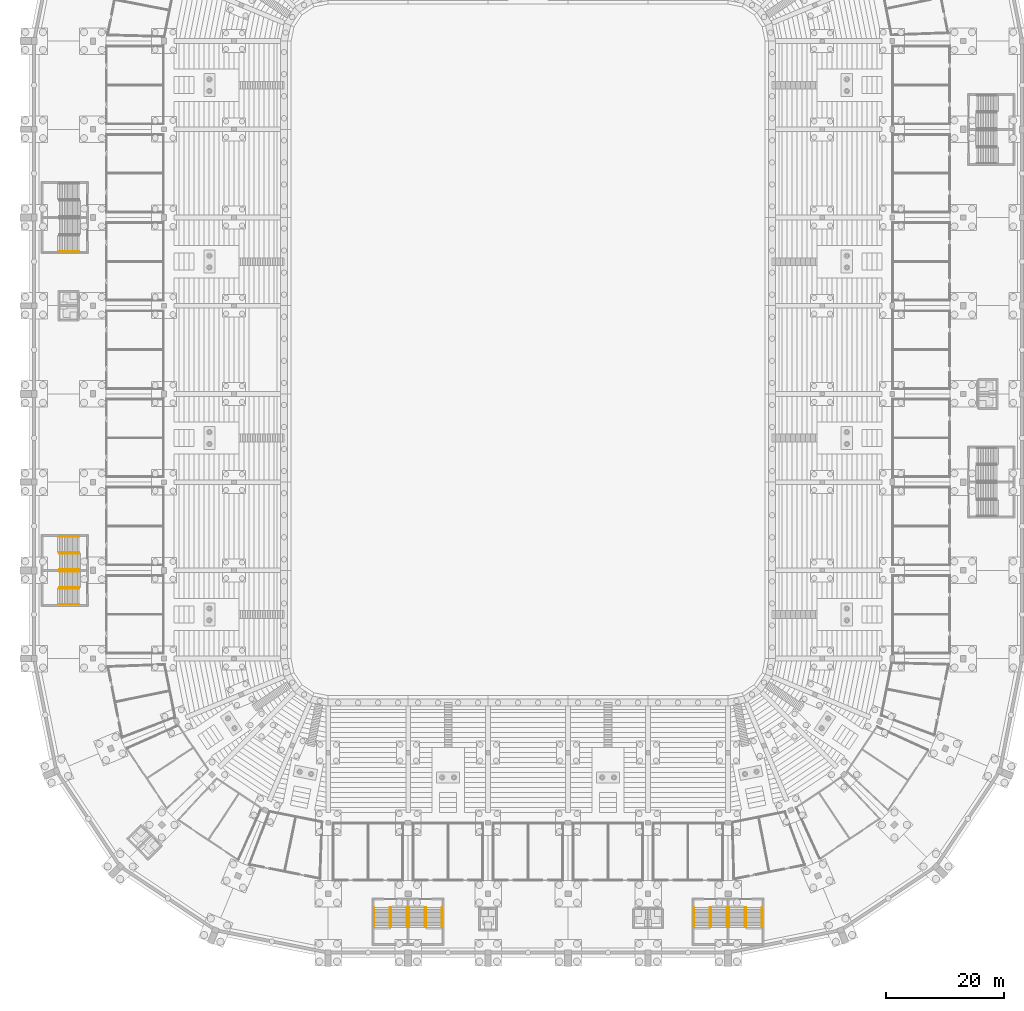
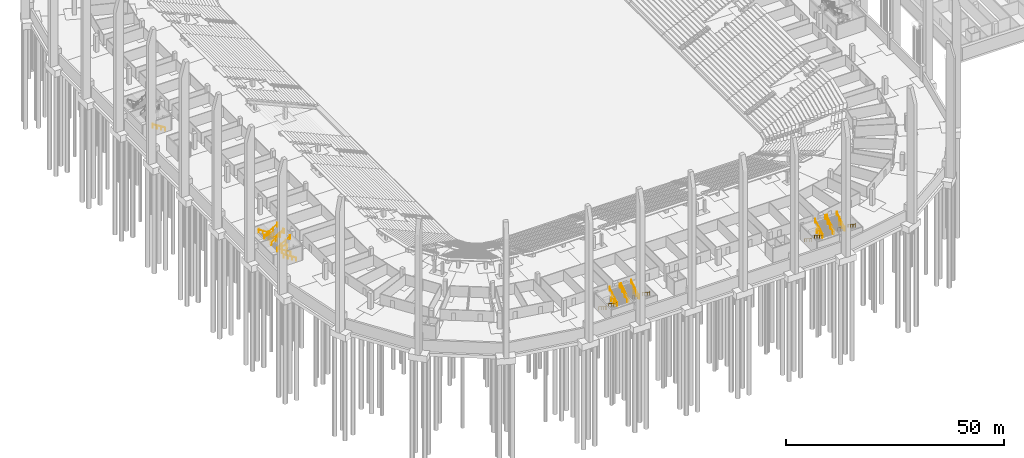
# One storey, part 110 of 115: 31 railings.
"""IFC4 building model written with IfcOpenShell, lengths in metres."""

from ifc_helpers import new_model, si_unit, direction, frame, origin, origin_2d, place, context, subcontext, project, spatial, circle, extrude, material, type_object, element, save


model = new_model("IFC4")

# Units and contexts
model_context = context("Model", 3, precision=1e-05, world=origin(), true_north=direction((0.0, 1.0)))
body_context = subcontext(model_context, "Body", "Model", "MODEL_VIEW")
ifc_project = project(units=[si_unit("LENGTHUNIT", "METRE"), si_unit("AREAUNIT", "SQUARE_METRE"), si_unit("VOLUMEUNIT", "CUBIC_METRE"), si_unit("PLANEANGLEUNIT", "RADIAN"), si_unit("MASSUNIT", "GRAM", prefix="KILO")], contexts=[model_context])

# Site, building, storey
site_placement = place(None, origin())
site = spatial("IfcSite", under=ifc_project, at=site_placement, CompositionType="ELEMENT")
building_placement = place(site_placement, origin())
building = spatial("IfcBuilding", under=site, at=building_placement, Name="Ogive Plaza Stadium", CompositionType="ELEMENT")
storey_placement = place(building_placement, frame((0.0, 0.0, -4.5)))
storey = spatial("IfcBuildingStorey", under=building, at=storey_placement, Name="B1", CompositionType="ELEMENT", Elevation=-4.5)

# Railings
ifc_material_1 = material(Name="Steel ASTM A572 Grade 50", Category="steel")
railing_type_1 = type_object("IfcRailingType", Name="Guard 1100", PredefinedType="GUARDRAIL", material=ifc_material_1)
for number, where, name in (
    (1, (31.02490234375, -95.81005859375, 2.25), "Stair well guard ST12A B1"),
    (2, (36.97509765625, -95.81005859375, 2.25), "Stair well guard ST12B B1"),
    (3, (-23.375, -95.81005859375, 2.25), "Stair well guard ST16A B1"),
    (4, (-17.425048828125, -95.81005859375, 2.25), "Stair well guard ST16B B1"),
):
    element("IfcRailing", number, at=place(storey_placement, frame(where)), inside=storey, type_object=railing_type_1, Name=name, PredefinedType="GUARDRAIL", context=body_context, shape_type="SweptSolid", body=[
        extrude(circle(Radius=0.02392578125, at=origin_2d()), frame((0.0, 0.0, 1.076171875), z_axis=(0.0, -1.0, 0.0), x_axis=(1.0, 0.0, 0.0)), (0.0, 0.0, 1.0), 2.39990234375),
        extrude(circle(Radius=0.02099609375, at=origin_2d()), origin(), (0.0, 0.0, 1.0), 1.052001953125),
        extrude(circle(Radius=0.02099609375, at=origin_2d()), frame((0.0, -1.199951171875, 0.0)), (0.0, 0.0, 1.0), 1.052001953125),
        extrude(circle(Radius=0.02099609375, at=origin_2d()), frame((0.0, -2.39990234375, 0.0)), (0.0, 0.0, 1.0), 1.052001953125),
    ])
for number, where, name in (
    (5, (-77.31005859375, -34.52490234375, 2.25), "Stair well guard ST22A B1"),
    (6, (-77.31005859375, -40.47509765625, 2.25), "Stair well guard ST22B B1"),
):
    element("IfcRailing", number, at=place(storey_placement, frame(where)), inside=storey, type_object=railing_type_1, Name=name, PredefinedType="GUARDRAIL", context=body_context, shape_type="SweptSolid", body=[
        extrude(circle(Radius=0.02392578125, at=origin_2d()), frame((0.0, 0.0, 1.076171875), z_axis=(-1.0, 0.0, 0.0), x_axis=(0.0, -1.0, 0.0)), (0.0, 0.0, 1.0), 2.39990234375),
        extrude(circle(Radius=0.02099609375, at=origin_2d()), origin(), (0.0, 0.0, 1.0), 1.052001953125),
        extrude(circle(Radius=0.02099609375, at=origin_2d()), frame((-1.199951171875, 0.0, 0.0)), (0.0, 0.0, 1.0), 1.052001953125),
        extrude(circle(Radius=0.02099609375, at=origin_2d()), frame((-2.39990234375, 0.0, 0.0)), (0.0, 0.0, 1.0), 1.052001953125),
    ])
ifc_material_2 = material(Name="Steel ASTM A572 Grade 50", Category="steel")
railing_type_2 = type_object("IfcRailingType", Name="Handrail 900", PredefinedType="HANDRAIL", material=ifc_material_2)
for number, where, name in (
    (7, (28.235107421875, -94.85009765625, 0.173095703125), "Handrail ST12A B1"),
    (8, (30.9150390625, -94.85009765625, 0.173095703125), "Handrail ST12A B1"),
):
    element("IfcRailing", number, at=place(storey_placement, frame(where)), inside=storey, type_object=railing_type_2, Name=name, PredefinedType="HANDRAIL", context=body_context, shape_type="SweptSolid", body=[
        extrude(circle(Radius=0.02392578125, at=origin_2d()), frame((0.0, 0.0, 0.8759765625), z_axis=(0.0, -0.850606129759, 0.525803396734), x_axis=(1.0, 0.0, 0.0)), (0.0, 0.0, 1.0), 3.949951171875),
        extrude(circle(Radius=0.02099609375, at=origin_2d()), origin(), (0.0, 0.0, 1.0), 0.851806640625),
        extrude(circle(Radius=0.02099609375, at=origin_2d()), frame((0.0, -1.119873046875, 0.6923828125)), (0.0, 0.0, 1.0), 0.851806640625),
        extrude(circle(Radius=0.02099609375, at=origin_2d()), frame((0.0, -2.239990234375, 1.384521484375)), (0.0, 0.0, 1.0), 0.851806640625),
        extrude(circle(Radius=0.02099609375, at=origin_2d()), frame((0.0, -3.35986328125, 2.076904296875)), (0.0, 0.0, 1.0), 1.10009765625),
    ])
for number, where, name in (
    (9, (31.135009765625, -98.2099609375, 2.423095703125), "Handrail ST12A B1"),
    (10, (33.81494140625, -98.2099609375, 2.423095703125), "Handrail ST12A B1"),
):
    element("IfcRailing", number, at=place(storey_placement, frame(where)), inside=storey, type_object=railing_type_2, Name=name, PredefinedType="HANDRAIL", context=body_context, shape_type="SweptSolid", body=[
        extrude(circle(Radius=0.02392578125, at=origin_2d()), frame((0.0, 0.0, 0.8759765625), z_axis=(0.0, 0.850606129759, 0.525803396734), x_axis=(-1.0, 0.0, 0.0)), (0.0, 0.0, 1.0), 3.949951171875),
        extrude(circle(Radius=0.02099609375, at=origin_2d()), origin(), (0.0, 0.0, 1.0), 0.851806640625),
        extrude(circle(Radius=0.02099609375, at=origin_2d()), frame((0.0, 1.119873046875, 0.6923828125)), (0.0, 0.0, 1.0), 0.851806640625),
        extrude(circle(Radius=0.02099609375, at=origin_2d()), frame((0.0, 2.239990234375, 1.384521484375)), (0.0, 0.0, 1.0), 0.851806640625),
        extrude(circle(Radius=0.02099609375, at=origin_2d()), frame((0.0, 3.35986328125, 2.076904296875)), (0.0, 0.0, 1.0), 1.10009765625),
    ])
for number, where, name in (
    (11, (37.0849609375, -94.85009765625, 0.173095703125), "Handrail ST12B B1"),
    (12, (39.764892578125, -94.85009765625, 0.173095703125), "Handrail ST12B B1"),
):
    element("IfcRailing", number, at=place(storey_placement, frame(where)), inside=storey, type_object=railing_type_2, Name=name, PredefinedType="HANDRAIL", context=body_context, shape_type="SweptSolid", body=[
        extrude(circle(Radius=0.02392578125, at=origin_2d()), frame((0.0, 0.0, 0.8759765625), z_axis=(0.0, -0.850606129759, 0.525803396734), x_axis=(1.0, 0.0, 0.0)), (0.0, 0.0, 1.0), 3.949951171875),
        extrude(circle(Radius=0.02099609375, at=origin_2d()), origin(), (0.0, 0.0, 1.0), 0.851806640625),
        extrude(circle(Radius=0.02099609375, at=origin_2d()), frame((0.0, -1.119873046875, 0.6923828125)), (0.0, 0.0, 1.0), 0.851806640625),
        extrude(circle(Radius=0.02099609375, at=origin_2d()), frame((0.0, -2.239990234375, 1.384521484375)), (0.0, 0.0, 1.0), 0.851806640625),
        extrude(circle(Radius=0.02099609375, at=origin_2d()), frame((0.0, -3.35986328125, 2.076904296875)), (0.0, 0.0, 1.0), 1.10009765625),
    ])
for number, where, name in (
    (13, (34.18505859375, -98.2099609375, 2.423095703125), "Handrail ST12B B1"),
    (14, (36.864990234375, -98.2099609375, 2.423095703125), "Handrail ST12B B1"),
):
    element("IfcRailing", number, at=place(storey_placement, frame(where)), inside=storey, type_object=railing_type_2, Name=name, PredefinedType="HANDRAIL", context=body_context, shape_type="SweptSolid", body=[
        extrude(circle(Radius=0.02392578125, at=origin_2d()), frame((0.0, 0.0, 0.8759765625), z_axis=(0.0, 0.850606129759, 0.525803396734), x_axis=(-1.0, 0.0, 0.0)), (0.0, 0.0, 1.0), 3.949951171875),
        extrude(circle(Radius=0.02099609375, at=origin_2d()), origin(), (0.0, 0.0, 1.0), 0.851806640625),
        extrude(circle(Radius=0.02099609375, at=origin_2d()), frame((0.0, 1.119873046875, 0.6923828125)), (0.0, 0.0, 1.0), 0.851806640625),
        extrude(circle(Radius=0.02099609375, at=origin_2d()), frame((0.0, 2.239990234375, 1.384521484375)), (0.0, 0.0, 1.0), 0.851806640625),
        extrude(circle(Radius=0.02099609375, at=origin_2d()), frame((0.0, 3.35986328125, 2.076904296875)), (0.0, 0.0, 1.0), 1.10009765625),
    ])
for number, where, name in (
    (15, (-26.1650390625, -94.85009765625, 0.173095703125), "Handrail ST16A B1"),
    (16, (-23.485107421875, -94.85009765625, 0.173095703125), "Handrail ST16A B1"),
):
    element("IfcRailing", number, at=place(storey_placement, frame(where)), inside=storey, type_object=railing_type_2, Name=name, PredefinedType="HANDRAIL", context=body_context, shape_type="SweptSolid", body=[
        extrude(circle(Radius=0.02392578125, at=origin_2d()), frame((0.0, 0.0, 0.8759765625), z_axis=(0.0, -0.850606129759, 0.525803396734), x_axis=(1.0, 0.0, 0.0)), (0.0, 0.0, 1.0), 3.949951171875),
        extrude(circle(Radius=0.02099609375, at=origin_2d()), origin(), (0.0, 0.0, 1.0), 0.851806640625),
        extrude(circle(Radius=0.02099609375, at=origin_2d()), frame((0.0, -1.119873046875, 0.6923828125)), (0.0, 0.0, 1.0), 0.851806640625),
        extrude(circle(Radius=0.02099609375, at=origin_2d()), frame((0.0, -2.239990234375, 1.384521484375)), (0.0, 0.0, 1.0), 0.851806640625),
        extrude(circle(Radius=0.02099609375, at=origin_2d()), frame((0.0, -3.35986328125, 2.076904296875)), (0.0, 0.0, 1.0), 1.10009765625),
    ])
for number, where, name in (
    (17, (-23.264892578125, -98.2099609375, 2.423095703125), "Handrail ST16A B1"),
    (18, (-20.5849609375, -98.2099609375, 2.423095703125), "Handrail ST16A B1"),
):
    element("IfcRailing", number, at=place(storey_placement, frame(where)), inside=storey, type_object=railing_type_2, Name=name, PredefinedType="HANDRAIL", context=body_context, shape_type="SweptSolid", body=[
        extrude(circle(Radius=0.02392578125, at=origin_2d()), frame((0.0, 0.0, 0.8759765625), z_axis=(0.0, 0.850606129759, 0.525803396734), x_axis=(-1.0, 0.0, 0.0)), (0.0, 0.0, 1.0), 3.949951171875),
        extrude(circle(Radius=0.02099609375, at=origin_2d()), origin(), (0.0, 0.0, 1.0), 0.851806640625),
        extrude(circle(Radius=0.02099609375, at=origin_2d()), frame((0.0, 1.119873046875, 0.6923828125)), (0.0, 0.0, 1.0), 0.851806640625),
        extrude(circle(Radius=0.02099609375, at=origin_2d()), frame((0.0, 2.239990234375, 1.384521484375)), (0.0, 0.0, 1.0), 0.851806640625),
        extrude(circle(Radius=0.02099609375, at=origin_2d()), frame((0.0, 3.35986328125, 2.076904296875)), (0.0, 0.0, 1.0), 1.10009765625),
    ])
for number, where, name in (
    (19, (-17.31494140625, -94.85009765625, 0.173095703125), "Handrail ST16B B1"),
    (20, (-14.635009765625, -94.85009765625, 0.173095703125), "Handrail ST16B B1"),
):
    element("IfcRailing", number, at=place(storey_placement, frame(where)), inside=storey, type_object=railing_type_2, Name=name, PredefinedType="HANDRAIL", context=body_context, shape_type="SweptSolid", body=[
        extrude(circle(Radius=0.02392578125, at=origin_2d()), frame((0.0, 0.0, 0.8759765625), z_axis=(0.0, -0.850606129759, 0.525803396734), x_axis=(1.0, 0.0, 0.0)), (0.0, 0.0, 1.0), 3.949951171875),
        extrude(circle(Radius=0.02099609375, at=origin_2d()), origin(), (0.0, 0.0, 1.0), 0.851806640625),
        extrude(circle(Radius=0.02099609375, at=origin_2d()), frame((0.0, -1.119873046875, 0.6923828125)), (0.0, 0.0, 1.0), 0.851806640625),
        extrude(circle(Radius=0.02099609375, at=origin_2d()), frame((0.0, -2.239990234375, 1.384521484375)), (0.0, 0.0, 1.0), 0.851806640625),
        extrude(circle(Radius=0.02099609375, at=origin_2d()), frame((0.0, -3.35986328125, 2.076904296875)), (0.0, 0.0, 1.0), 1.10009765625),
    ])
for number, where, name in (
    (21, (-20.215087890625, -98.2099609375, 2.423095703125), "Handrail ST16B B1"),
    (22, (-17.534912109375, -98.2099609375, 2.423095703125), "Handrail ST16B B1"),
):
    element("IfcRailing", number, at=place(storey_placement, frame(where)), inside=storey, type_object=railing_type_2, Name=name, PredefinedType="HANDRAIL", context=body_context, shape_type="SweptSolid", body=[
        extrude(circle(Radius=0.02392578125, at=origin_2d()), frame((0.0, 0.0, 0.8759765625), z_axis=(0.0, 0.850606129759, 0.525803396734), x_axis=(-1.0, 0.0, 0.0)), (0.0, 0.0, 1.0), 3.949951171875),
        extrude(circle(Radius=0.02099609375, at=origin_2d()), origin(), (0.0, 0.0, 1.0), 0.851806640625),
        extrude(circle(Radius=0.02099609375, at=origin_2d()), frame((0.0, 1.119873046875, 0.6923828125)), (0.0, 0.0, 1.0), 0.851806640625),
        extrude(circle(Radius=0.02099609375, at=origin_2d()), frame((0.0, 2.239990234375, 1.384521484375)), (0.0, 0.0, 1.0), 0.851806640625),
        extrude(circle(Radius=0.02099609375, at=origin_2d()), frame((0.0, 3.35986328125, 2.076904296875)), (0.0, 0.0, 1.0), 1.10009765625),
    ])
for number, where, name in (
    (23, (-76.35009765625, -31.735107421875, 0.173095703125), "Handrail ST22A B1"),
    (24, (-76.35009765625, -34.4150390625, 0.173095703125), "Handrail ST22A B1"),
):
    element("IfcRailing", number, at=place(storey_placement, frame(where)), inside=storey, type_object=railing_type_2, Name=name, PredefinedType="HANDRAIL", context=body_context, shape_type="SweptSolid", body=[
        extrude(circle(Radius=0.02392578125, at=origin_2d()), frame((0.0, 0.0, 0.8759765625), z_axis=(-0.850606129759, 0.0, 0.525803396734), x_axis=(0.0, -1.0, 0.0)), (0.0, 0.0, 1.0), 3.949951171875),
        extrude(circle(Radius=0.02099609375, at=origin_2d()), origin(), (0.0, 0.0, 1.0), 0.851806640625),
        extrude(circle(Radius=0.02099609375, at=origin_2d()), frame((-1.119873046875, 0.0, 0.6923828125)), (0.0, 0.0, 1.0), 0.851806640625),
        extrude(circle(Radius=0.02099609375, at=origin_2d()), frame((-2.239990234375, 0.0, 1.384521484375)), (0.0, 0.0, 1.0), 0.851806640625),
        extrude(circle(Radius=0.02099609375, at=origin_2d()), frame((-3.35986328125, 0.0, 2.076904296875)), (0.0, 0.0, 1.0), 1.10009765625),
    ])
for number, where, name in (
    (25, (-79.7099609375, -34.635009765625, 2.423095703125), "Handrail ST22A B1"),
    (26, (-79.7099609375, -37.31494140625, 2.423095703125), "Handrail ST22A B1"),
):
    element("IfcRailing", number, at=place(storey_placement, frame(where)), inside=storey, type_object=railing_type_2, Name=name, PredefinedType="HANDRAIL", context=body_context, shape_type="SweptSolid", body=[
        extrude(circle(Radius=0.02392578125, at=origin_2d()), frame((0.0, 0.0, 0.8759765625), z_axis=(0.850606129759, 0.0, 0.525803396734), x_axis=(0.0, 1.0, 0.0)), (0.0, 0.0, 1.0), 3.949951171875),
        extrude(circle(Radius=0.02099609375, at=origin_2d()), origin(), (0.0, 0.0, 1.0), 0.851806640625),
        extrude(circle(Radius=0.02099609375, at=origin_2d()), frame((1.119873046875, 0.0, 0.6923828125)), (0.0, 0.0, 1.0), 0.851806640625),
        extrude(circle(Radius=0.02099609375, at=origin_2d()), frame((2.239990234375, 0.0, 1.384521484375)), (0.0, 0.0, 1.0), 0.851806640625),
        extrude(circle(Radius=0.02099609375, at=origin_2d()), frame((3.35986328125, 0.0, 2.076904296875)), (0.0, 0.0, 1.0), 1.10009765625),
    ])
for number, where, name in (
    (27, (-76.35009765625, -40.5849609375, 0.173095703125), "Handrail ST22B B1"),
    (28, (-76.35009765625, -43.264892578125, 0.173095703125), "Handrail ST22B B1"),
):
    element("IfcRailing", number, at=place(storey_placement, frame(where)), inside=storey, type_object=railing_type_2, Name=name, PredefinedType="HANDRAIL", context=body_context, shape_type="SweptSolid", body=[
        extrude(circle(Radius=0.02392578125, at=origin_2d()), frame((0.0, 0.0, 0.8759765625), z_axis=(-0.850606129759, 0.0, 0.525803396734), x_axis=(0.0, -1.0, 0.0)), (0.0, 0.0, 1.0), 3.949951171875),
        extrude(circle(Radius=0.02099609375, at=origin_2d()), origin(), (0.0, 0.0, 1.0), 0.851806640625),
        extrude(circle(Radius=0.02099609375, at=origin_2d()), frame((-1.119873046875, 0.0, 0.6923828125)), (0.0, 0.0, 1.0), 0.851806640625),
        extrude(circle(Radius=0.02099609375, at=origin_2d()), frame((-2.239990234375, 0.0, 1.384521484375)), (0.0, 0.0, 1.0), 0.851806640625),
        extrude(circle(Radius=0.02099609375, at=origin_2d()), frame((-3.35986328125, 0.0, 2.076904296875)), (0.0, 0.0, 1.0), 1.10009765625),
    ])
for number, where, name in (
    (29, (-79.7099609375, -37.68505859375, 2.423095703125), "Handrail ST22B B1"),
    (30, (-79.7099609375, -40.364990234375, 2.423095703125), "Handrail ST22B B1"),
):
    element("IfcRailing", number, at=place(storey_placement, frame(where)), inside=storey, type_object=railing_type_2, Name=name, PredefinedType="HANDRAIL", context=body_context, shape_type="SweptSolid", body=[
        extrude(circle(Radius=0.02392578125, at=origin_2d()), frame((0.0, 0.0, 0.8759765625), z_axis=(0.850606129759, 0.0, 0.525803396734), x_axis=(0.0, 1.0, 0.0)), (0.0, 0.0, 1.0), 3.949951171875),
        extrude(circle(Radius=0.02099609375, at=origin_2d()), origin(), (0.0, 0.0, 1.0), 0.851806640625),
        extrude(circle(Radius=0.02099609375, at=origin_2d()), frame((1.119873046875, 0.0, 0.6923828125)), (0.0, 0.0, 1.0), 0.851806640625),
        extrude(circle(Radius=0.02099609375, at=origin_2d()), frame((2.239990234375, 0.0, 1.384521484375)), (0.0, 0.0, 1.0), 0.851806640625),
        extrude(circle(Radius=0.02099609375, at=origin_2d()), frame((3.35986328125, 0.0, 2.076904296875)), (0.0, 0.0, 1.0), 1.10009765625),
    ])
railing_placement = place(storey_placement, frame((-76.35009765625, 16.735107421875, 0.173095703125)))
element("IfcRailing", 31, at=railing_placement, inside=storey, type_object=railing_type_2, Name="Handrail ST26B B1", PredefinedType="HANDRAIL", context=body_context, shape_type="SweptSolid", body=[
    extrude(circle(Radius=0.02392578125, at=origin_2d()), frame((0.0, 0.0, 0.8759765625), z_axis=(-0.850606129759, 0.0, 0.525803396734), x_axis=(0.0, -1.0, 0.0)), (0.0, 0.0, 1.0), 3.949951171875),
    extrude(circle(Radius=0.02099609375, at=origin_2d()), origin(), (0.0, 0.0, 1.0), 0.851806640625),
    extrude(circle(Radius=0.02099609375, at=origin_2d()), frame((-1.119873046875, 0.0, 0.6923828125)), (0.0, 0.0, 1.0), 0.851806640625),
    extrude(circle(Radius=0.02099609375, at=origin_2d()), frame((-2.239990234375, 0.0, 1.384521484375)), (0.0, 0.0, 1.0), 0.851806640625),
    extrude(circle(Radius=0.02099609375, at=origin_2d()), frame((-3.35986328125, 0.0, 2.076904296875)), (0.0, 0.0, 1.0), 1.10009765625),
])

save(model, "model.ifc")
